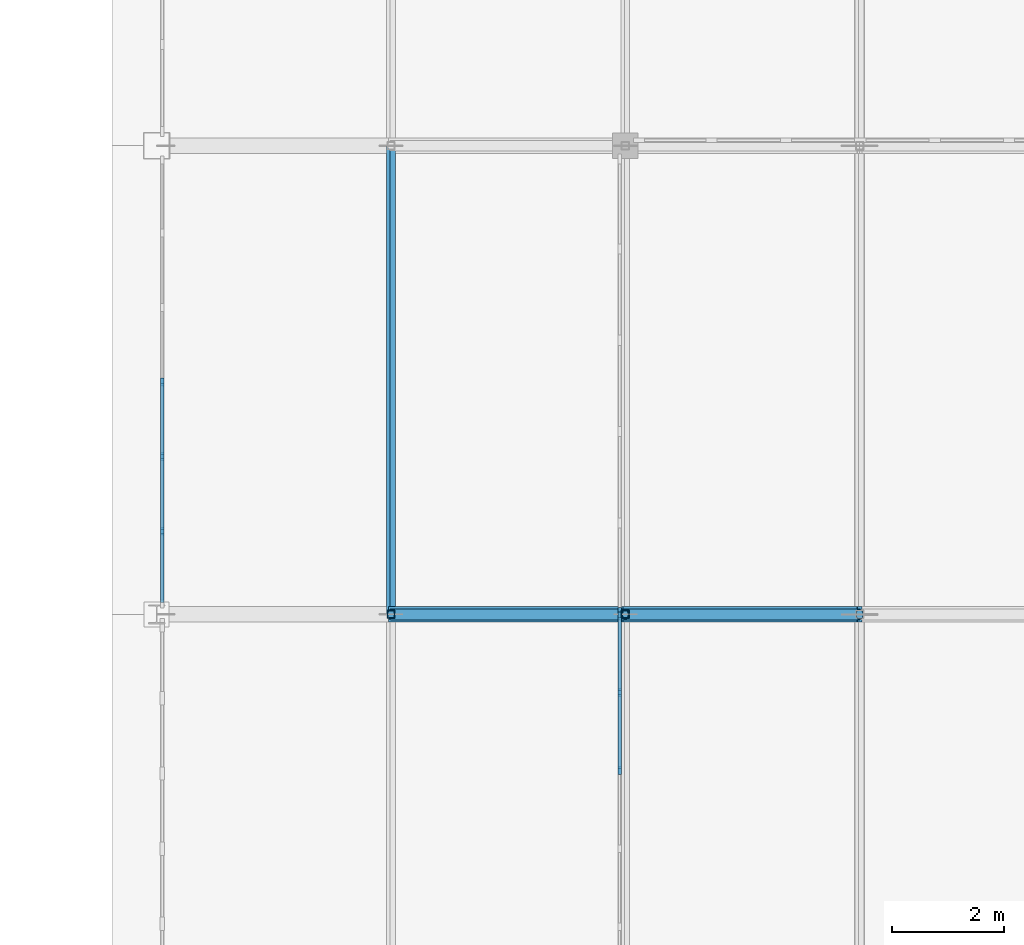
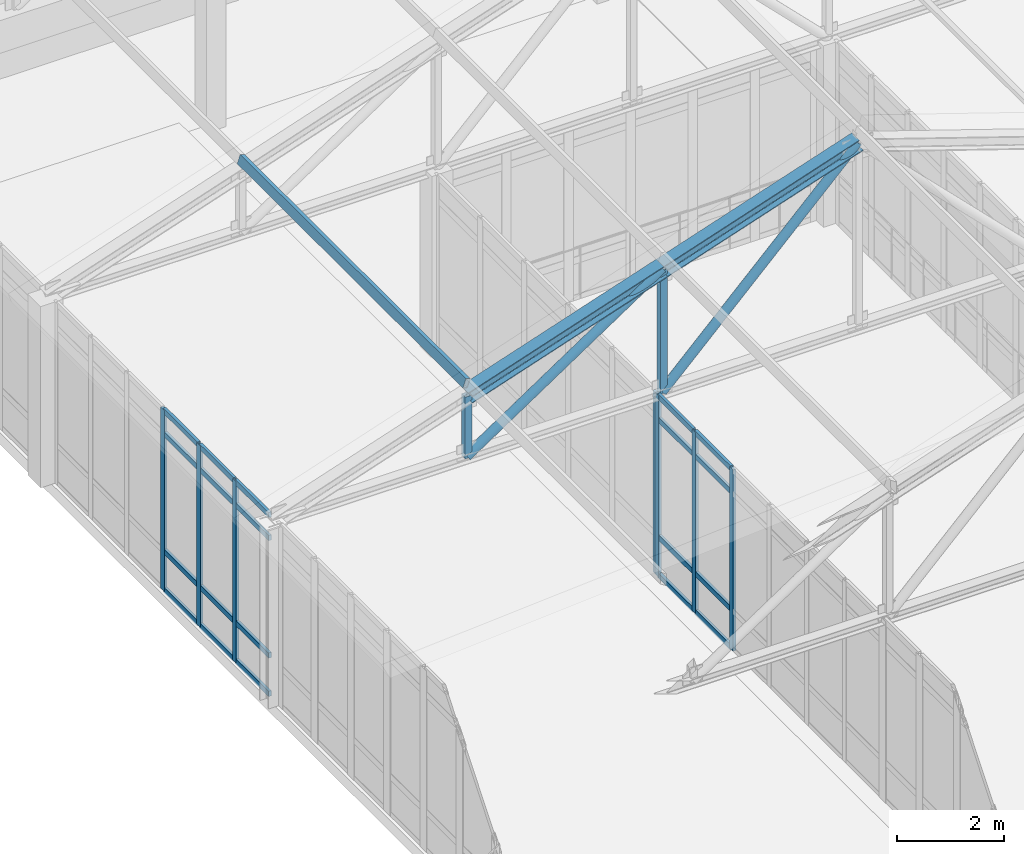
# One storey, part 75 of 192: 34 members, 3 elements without a shape of their own.
"""IFC4 building model written with IfcOpenShell, lengths in metres."""

from ifc_helpers import new_model, si_unit, direction, frame, origin, origin_2d, place, context, subcontext, project, spatial, rectangle, hollow_rectangle, hollow_circle, i_section, extrude, material, layer, layer_set, material_profile, profile_set, type_object, element, aggregate, save


model = new_model("IFC4")

# Units and contexts
model_context = context("Model", 3, precision=1e-05, world=origin(), true_north=direction((0.0, 1.0)))
body_context = subcontext(model_context, "Body", "Model", "MODEL_VIEW")
ifc_project = project(units=[si_unit("LENGTHUNIT", "METRE"), si_unit("AREAUNIT", "SQUARE_METRE"), si_unit("VOLUMEUNIT", "CUBIC_METRE"), si_unit("PLANEANGLEUNIT", "RADIAN"), si_unit("MASSUNIT", "GRAM", prefix="KILO")], contexts=[model_context])

# Site, building, storey
site_placement = place(None, origin())
site = spatial("IfcSite", under=ifc_project, at=site_placement, CompositionType="ELEMENT")
building_placement = place(site_placement, origin())
building = spatial("IfcBuilding", under=site, at=building_placement, Name="Kveldsbrygga Polytechnic", CompositionType="ELEMENT")
storey_placement = place(building_placement, frame((0.0, 0.0, 5.43994140625)))
storey = spatial("IfcBuildingStorey", under=building, at=storey_placement, Name="L01", CompositionType="ELEMENT", Elevation=5.43994140625)

# Curtain wall, members
ifc_material_1 = material(Name="Anodised aluminium AW-6060", Category="aluminium")
ifc_layer_1 = layer(ifc_material_1, 0.179931640625)
ifc_layer_set_1 = layer_set([ifc_layer_1], Name="Anodised aluminium AW-6060")
curtain_wall_type_1 = type_object("IfcCurtainWallType", Name="CW-CONC-A", PredefinedType="USERDEFINED", material=ifc_layer_set_1)
curtain_wall_1_placement = place(storey_placement, origin())
curtain_wall_1 = element("IfcCurtainWall", 1, at=curtain_wall_1_placement, inside=storey, type_object=curtain_wall_type_1, Name="Curtain Wall CW-L01-Y-07-07", ObjectType="UNITISED CURTAIN WALL", PredefinedType="USERDEFINED")
ifc_material_profile_1 = material_profile(ifc_material_1, rectangle(XDim=0.06005859375, YDim=0.139892578125, at=origin_2d()), Name="ALU 60x140")
ifc_profile_set_1 = profile_set([ifc_material_profile_1], Name="Anodised aluminium AW-6060")
member_type_1 = type_object("IfcMemberType", Name="CW-MUL-140", PredefinedType="MULLION", material=ifc_profile_set_1)
member_1_placement = place(storey_placement, frame((58.699951171875, 64.39990234375, 0.0), z_axis=(0.0, 0.0, 1.0), x_axis=(-1.0, 0.0, 0.0)))
member_1 = element("IfcMember", 2, at=member_1_placement, type_object=member_type_1, Name="CW-01 mullion 5", PredefinedType="MULLION", context=body_context, shape_type="SweptSolid", body=[
    extrude(rectangle(XDim=0.06005859375, YDim=0.139892578125, at=origin_2d()), origin(), (0.0, 0.0, 1.0), 4.1201171875),
])
member_2_placement = place(storey_placement, frame((58.699951171875, 65.800048828125, 0.0), z_axis=(0.0, 0.0, 1.0), x_axis=(-1.0, 0.0, 0.0)))
member_2 = element("IfcMember", 3, at=member_2_placement, type_object=member_type_1, Name="CW-01 mullion 6", PredefinedType="MULLION", context=body_context, shape_type="SweptSolid", body=[
    extrude(rectangle(XDim=0.06005859375, YDim=0.139892578125, at=origin_2d()), origin(), (0.0, 0.0, 1.0), 4.1201171875),
])
member_3_placement = place(storey_placement, frame((58.699951171875, 67.169921875, 0.0), z_axis=(0.0, 0.0, 1.0), x_axis=(-1.0, 0.0, 0.0)))
member_3 = element("IfcMember", 4, at=member_3_placement, type_object=member_type_1, Name="CW-01 mullion 7", PredefinedType="MULLION", context=body_context, shape_type="SweptSolid", body=[
    extrude(rectangle(XDim=0.06005859375, YDim=0.139892578125, at=origin_2d()), origin(), (0.0, 0.0, 1.0), 4.1201171875),
])

curtain_wall_2_placement = place(storey_placement, origin())
curtain_wall_2 = element("IfcCurtainWall", 5, at=curtain_wall_2_placement, inside=storey, type_object=curtain_wall_type_1, Name="Curtain Wall CW-L01-Y-06-08", ObjectType="UNITISED CURTAIN WALL", PredefinedType="USERDEFINED")
member_4_placement = place(storey_placement, frame((50.5, 68.691650390625, 0.0), z_axis=(0.0, 0.0, 1.0), x_axis=(-1.0, 0.0, 0.0)))
member_4 = element("IfcMember", 6, at=member_4_placement, type_object=member_type_1, Name="CW-01 mullion 2", PredefinedType="MULLION", context=body_context, shape_type="SweptSolid", body=[
    extrude(rectangle(XDim=0.06005859375, YDim=0.139892578125, at=origin_2d()), origin(), (0.0, 0.0, 1.0), 4.1201171875),
])
member_5_placement = place(storey_placement, frame((50.5, 70.0283203125, 0.0), z_axis=(0.0, 0.0, 1.0), x_axis=(-1.0, 0.0, 0.0)))
member_5 = element("IfcMember", 7, at=member_5_placement, type_object=member_type_1, Name="CW-01 mullion 3", PredefinedType="MULLION", context=body_context, shape_type="SweptSolid", body=[
    extrude(rectangle(XDim=0.06005859375, YDim=0.139892578125, at=origin_2d()), origin(), (0.0, 0.0, 1.0), 4.1201171875),
])
member_6_placement = place(storey_placement, frame((50.5, 71.364990234375, 0.0), z_axis=(0.0, 0.0, 1.0), x_axis=(-1.0, 0.0, 0.0)))
member_6 = element("IfcMember", 8, at=member_6_placement, type_object=member_type_1, Name="CW-01 mullion 4", PredefinedType="MULLION", context=body_context, shape_type="SweptSolid", body=[
    extrude(rectangle(XDim=0.06005859375, YDim=0.139892578125, at=origin_2d()), origin(), (0.0, 0.0, 1.0), 4.1201171875),
])

# Curtain wall, member
ifc_layer_2 = layer(ifc_material_1, 0.199951171875)
ifc_layer_set_2 = layer_set([ifc_layer_2], Name="Anodised aluminium AW-6060")
curtain_wall_type_2 = type_object("IfcCurtainWallType", Name="CW-CONC-B", PredefinedType="USERDEFINED", material=ifc_layer_set_2)
curtain_wall_3_placement = place(storey_placement, origin())
curtain_wall_3 = element("IfcCurtainWall", 9, at=curtain_wall_3_placement, inside=storey, type_object=curtain_wall_type_2, Name="Curtain Wall CW-L01-Y-07-08", ObjectType="UNITISED CURTAIN WALL", PredefinedType="USERDEFINED")
ifc_material_profile_2 = material_profile(ifc_material_1, rectangle(XDim=0.06005859375, YDim=0.179931640625, at=origin_2d()), Name="ALU 60x180")
ifc_profile_set_2 = profile_set([ifc_material_profile_2], Name="Anodised aluminium AW-6060")
member_type_2 = type_object("IfcMemberType", Name="CW-MUL-180", PredefinedType="MULLION", material=ifc_profile_set_2)
member_7_placement = place(storey_placement, frame((58.699951171875, 67.22998046875, 0.0), z_axis=(0.0, 0.0, 1.0), x_axis=(-1.0, 0.0, 0.0)))
member_7 = element("IfcMember", 10, at=member_7_placement, type_object=member_type_2, Name="CW-02 mullion 1", PredefinedType="MULLION", context=body_context, shape_type="SweptSolid", body=[
    extrude(rectangle(XDim=0.06005859375, YDim=0.179931640625, at=origin_2d()), origin(), (0.0, 0.0, 1.0), 4.1201171875),
])
aggregate(curtain_wall_3, [member_7])

# Member
ifc_material_profile_3 = material_profile(ifc_material_1, rectangle(XDim=0.06005859375, YDim=0.1201171875, at=origin_2d()), Name="ALU 60x120")
ifc_profile_set_3 = profile_set([ifc_material_profile_3], Name="Anodised aluminium AW-6060")
member_type_3 = type_object("IfcMemberType", Name="CW-TRN-120", PredefinedType="USERDEFINED", material=ifc_profile_set_3)
member_8_placement = place(storey_placement, frame((58.699951171875, 64.429931640625, 0.030029296875), z_axis=(0.0, 1.0, 0.0), x_axis=(-1.0, 0.0, 0.0)))
member_8 = element("IfcMember", 11, at=member_8_placement, type_object=member_type_3, Name="CW-01 transom 5.1", ObjectType="TRANSOM", PredefinedType="USERDEFINED", context=body_context, shape_type="SweptSolid", body=[
    extrude(rectangle(XDim=0.06005859375, YDim=0.1201171875, at=origin_2d()), origin(), (0.0, 0.0, 1.0), 1.340087890625),
])

member_9_placement = place(storey_placement, frame((58.699951171875, 64.429931640625, 0.900146484375), z_axis=(0.0, 1.0, 0.0), x_axis=(-1.0, 0.0, 0.0)))
member_9 = element("IfcMember", 12, at=member_9_placement, type_object=member_type_3, Name="CW-01 transom 5.2", ObjectType="TRANSOM", PredefinedType="USERDEFINED", context=body_context, shape_type="SweptSolid", body=[
    extrude(rectangle(XDim=0.06005859375, YDim=0.1201171875, at=origin_2d()), origin(), (0.0, 0.0, 1.0), 1.340087890625),
])

member_10_placement = place(storey_placement, frame((58.699951171875, 64.429931640625, 3.570068359375), z_axis=(0.0, 1.0, 0.0), x_axis=(-1.0, 0.0, 0.0)))
member_10 = element("IfcMember", 13, at=member_10_placement, type_object=member_type_3, Name="CW-01 transom 5.3", ObjectType="TRANSOM", PredefinedType="USERDEFINED", context=body_context, shape_type="SweptSolid", body=[
    extrude(rectangle(XDim=0.06005859375, YDim=0.1201171875, at=origin_2d()), origin(), (0.0, 0.0, 1.0), 1.340087890625),
])

member_11_placement = place(storey_placement, frame((58.699951171875, 64.429931640625, 4.090087890625), z_axis=(0.0, 1.0, 0.0), x_axis=(-1.0, 0.0, 0.0)))
member_11 = element("IfcMember", 14, at=member_11_placement, type_object=member_type_3, Name="CW-01 transom 5.4", ObjectType="TRANSOM", PredefinedType="USERDEFINED", context=body_context, shape_type="SweptSolid", body=[
    extrude(rectangle(XDim=0.06005859375, YDim=0.1201171875, at=origin_2d()), origin(), (0.0, 0.0, 1.0), 1.340087890625),
])

member_12_placement = place(storey_placement, frame((58.699951171875, 65.830078125, 0.030029296875), z_axis=(0.0, 1.0, 0.0), x_axis=(-1.0, 0.0, 0.0)))
member_12 = element("IfcMember", 15, at=member_12_placement, type_object=member_type_3, Name="CW-01 transom 6.1", ObjectType="TRANSOM", PredefinedType="USERDEFINED", context=body_context, shape_type="SweptSolid", body=[
    extrude(rectangle(XDim=0.06005859375, YDim=0.1201171875, at=origin_2d()), origin(), (0.0, 0.0, 1.0), 1.309814453125),
])

member_13_placement = place(storey_placement, frame((58.699951171875, 65.830078125, 0.900146484375), z_axis=(0.0, 1.0, 0.0), x_axis=(-1.0, 0.0, 0.0)))
member_13 = element("IfcMember", 16, at=member_13_placement, type_object=member_type_3, Name="CW-01 transom 6.2", ObjectType="TRANSOM", PredefinedType="USERDEFINED", context=body_context, shape_type="SweptSolid", body=[
    extrude(rectangle(XDim=0.06005859375, YDim=0.1201171875, at=origin_2d()), origin(), (0.0, 0.0, 1.0), 1.309814453125),
])

member_14_placement = place(storey_placement, frame((58.699951171875, 65.830078125, 3.570068359375), z_axis=(0.0, 1.0, 0.0), x_axis=(-1.0, 0.0, 0.0)))
member_14 = element("IfcMember", 17, at=member_14_placement, type_object=member_type_3, Name="CW-01 transom 6.3", ObjectType="TRANSOM", PredefinedType="USERDEFINED", context=body_context, shape_type="SweptSolid", body=[
    extrude(rectangle(XDim=0.06005859375, YDim=0.1201171875, at=origin_2d()), origin(), (0.0, 0.0, 1.0), 1.309814453125),
])

member_15_placement = place(storey_placement, frame((58.699951171875, 65.830078125, 4.090087890625), z_axis=(0.0, 1.0, 0.0), x_axis=(-1.0, 0.0, 0.0)))
member_15 = element("IfcMember", 18, at=member_15_placement, type_object=member_type_3, Name="CW-01 transom 6.4", ObjectType="TRANSOM", PredefinedType="USERDEFINED", context=body_context, shape_type="SweptSolid", body=[
    extrude(rectangle(XDim=0.06005859375, YDim=0.1201171875, at=origin_2d()), origin(), (0.0, 0.0, 1.0), 1.309814453125),
])

aggregate(curtain_wall_1, [member_1, member_2, member_3, member_8, member_9, member_10, member_11, member_12, member_13, member_14, member_15])

member_16_placement = place(storey_placement, frame((50.5, 67.4150390625, 0.030029296875), z_axis=(0.0, 1.0, 0.0), x_axis=(-1.0, 0.0, 0.0)))
member_16 = element("IfcMember", 19, at=member_16_placement, type_object=member_type_3, Name="CW-01 transom 1.1", ObjectType="TRANSOM", PredefinedType="USERDEFINED", context=body_context, shape_type="SweptSolid", body=[
    extrude(rectangle(XDim=0.06005859375, YDim=0.1201171875, at=origin_2d()), origin(), (0.0, 0.0, 1.0), 1.24658203125),
])

member_17_placement = place(storey_placement, frame((50.5, 67.4150390625, 0.900146484375), z_axis=(0.0, 1.0, 0.0), x_axis=(-1.0, 0.0, 0.0)))
member_17 = element("IfcMember", 20, at=member_17_placement, type_object=member_type_3, Name="CW-01 transom 1.2", ObjectType="TRANSOM", PredefinedType="USERDEFINED", context=body_context, shape_type="SweptSolid", body=[
    extrude(rectangle(XDim=0.06005859375, YDim=0.1201171875, at=origin_2d()), origin(), (0.0, 0.0, 1.0), 1.24658203125),
])

member_18_placement = place(storey_placement, frame((50.5, 67.4150390625, 3.570068359375), z_axis=(0.0, 1.0, 0.0), x_axis=(-1.0, 0.0, 0.0)))
member_18 = element("IfcMember", 21, at=member_18_placement, type_object=member_type_3, Name="CW-01 transom 1.3", ObjectType="TRANSOM", PredefinedType="USERDEFINED", context=body_context, shape_type="SweptSolid", body=[
    extrude(rectangle(XDim=0.06005859375, YDim=0.1201171875, at=origin_2d()), origin(), (0.0, 0.0, 1.0), 1.24658203125),
])

member_19_placement = place(storey_placement, frame((50.5, 67.4150390625, 4.090087890625), z_axis=(0.0, 1.0, 0.0), x_axis=(-1.0, 0.0, 0.0)))
member_19 = element("IfcMember", 22, at=member_19_placement, type_object=member_type_3, Name="CW-01 transom 1.4", ObjectType="TRANSOM", PredefinedType="USERDEFINED", context=body_context, shape_type="SweptSolid", body=[
    extrude(rectangle(XDim=0.06005859375, YDim=0.1201171875, at=origin_2d()), origin(), (0.0, 0.0, 1.0), 1.24658203125),
])

member_20_placement = place(storey_placement, frame((50.5, 68.7216796875, 0.030029296875), z_axis=(0.0, 1.0, 0.0), x_axis=(-1.0, 0.0, 0.0)))
member_20 = element("IfcMember", 23, at=member_20_placement, type_object=member_type_3, Name="CW-01 transom 2.1", ObjectType="TRANSOM", PredefinedType="USERDEFINED", context=body_context, shape_type="SweptSolid", body=[
    extrude(rectangle(XDim=0.06005859375, YDim=0.1201171875, at=origin_2d()), origin(), (0.0, 0.0, 1.0), 1.276611328125),
])

member_21_placement = place(storey_placement, frame((50.5, 68.7216796875, 0.900146484375), z_axis=(0.0, 1.0, 0.0), x_axis=(-1.0, 0.0, 0.0)))
member_21 = element("IfcMember", 24, at=member_21_placement, type_object=member_type_3, Name="CW-01 transom 2.2", ObjectType="TRANSOM", PredefinedType="USERDEFINED", context=body_context, shape_type="SweptSolid", body=[
    extrude(rectangle(XDim=0.06005859375, YDim=0.1201171875, at=origin_2d()), origin(), (0.0, 0.0, 1.0), 1.276611328125),
])

member_22_placement = place(storey_placement, frame((50.5, 68.7216796875, 3.570068359375), z_axis=(0.0, 1.0, 0.0), x_axis=(-1.0, 0.0, 0.0)))
member_22 = element("IfcMember", 25, at=member_22_placement, type_object=member_type_3, Name="CW-01 transom 2.3", ObjectType="TRANSOM", PredefinedType="USERDEFINED", context=body_context, shape_type="SweptSolid", body=[
    extrude(rectangle(XDim=0.06005859375, YDim=0.1201171875, at=origin_2d()), origin(), (0.0, 0.0, 1.0), 1.276611328125),
])

member_23_placement = place(storey_placement, frame((50.5, 68.7216796875, 4.090087890625), z_axis=(0.0, 1.0, 0.0), x_axis=(-1.0, 0.0, 0.0)))
member_23 = element("IfcMember", 26, at=member_23_placement, type_object=member_type_3, Name="CW-01 transom 2.4", ObjectType="TRANSOM", PredefinedType="USERDEFINED", context=body_context, shape_type="SweptSolid", body=[
    extrude(rectangle(XDim=0.06005859375, YDim=0.1201171875, at=origin_2d()), origin(), (0.0, 0.0, 1.0), 1.276611328125),
])

member_24_placement = place(storey_placement, frame((50.5, 70.058349609375, 0.030029296875), z_axis=(0.0, 1.0, 0.0), x_axis=(-1.0, 0.0, 0.0)))
member_24 = element("IfcMember", 27, at=member_24_placement, type_object=member_type_3, Name="CW-01 transom 3.1", ObjectType="TRANSOM", PredefinedType="USERDEFINED", context=body_context, shape_type="SweptSolid", body=[
    extrude(rectangle(XDim=0.06005859375, YDim=0.1201171875, at=origin_2d()), origin(), (0.0, 0.0, 1.0), 1.276611328125),
])

member_25_placement = place(storey_placement, frame((50.5, 70.058349609375, 0.900146484375), z_axis=(0.0, 1.0, 0.0), x_axis=(-1.0, 0.0, 0.0)))
member_25 = element("IfcMember", 28, at=member_25_placement, type_object=member_type_3, Name="CW-01 transom 3.2", ObjectType="TRANSOM", PredefinedType="USERDEFINED", context=body_context, shape_type="SweptSolid", body=[
    extrude(rectangle(XDim=0.06005859375, YDim=0.1201171875, at=origin_2d()), origin(), (0.0, 0.0, 1.0), 1.276611328125),
])

member_26_placement = place(storey_placement, frame((50.5, 70.058349609375, 3.570068359375), z_axis=(0.0, 1.0, 0.0), x_axis=(-1.0, 0.0, 0.0)))
member_26 = element("IfcMember", 29, at=member_26_placement, type_object=member_type_3, Name="CW-01 transom 3.3", ObjectType="TRANSOM", PredefinedType="USERDEFINED", context=body_context, shape_type="SweptSolid", body=[
    extrude(rectangle(XDim=0.06005859375, YDim=0.1201171875, at=origin_2d()), origin(), (0.0, 0.0, 1.0), 1.276611328125),
])

member_27_placement = place(storey_placement, frame((50.5, 70.058349609375, 4.090087890625), z_axis=(0.0, 1.0, 0.0), x_axis=(-1.0, 0.0, 0.0)))
member_27 = element("IfcMember", 30, at=member_27_placement, type_object=member_type_3, Name="CW-01 transom 3.4", ObjectType="TRANSOM", PredefinedType="USERDEFINED", context=body_context, shape_type="SweptSolid", body=[
    extrude(rectangle(XDim=0.06005859375, YDim=0.1201171875, at=origin_2d()), origin(), (0.0, 0.0, 1.0), 1.276611328125),
])

aggregate(curtain_wall_2, [member_4, member_5, member_6, member_16, member_17, member_18, member_19, member_20, member_21, member_22, member_23, member_24, member_25, member_26, member_27])

# Members
ifc_material_2 = material(Name="Steel S355", Category="steel")
ifc_material_profile_4 = material_profile(ifc_material_2, hollow_rectangle(XDim=0.10009765625, YDim=0.199951171875, WallThickness=0.010009765625, at=origin_2d()), Name="RHS 200x100x10.0")
ifc_profile_set_4 = profile_set([ifc_material_profile_4], Name="Steel S355")
member_type_4 = type_object("IfcMemberType", Name="PRL-RHS200", PredefinedType="PURLIN", material=ifc_profile_set_4)
member_28_placement = place(storey_placement, frame((54.60009765625, 67.199951171875, 5.77294921875), z_axis=(0.0, 1.0, 0.0), x_axis=(-0.948683567514, 0.0, 0.316226957624)))
element("IfcMember", 31, at=member_28_placement, inside=storey, type_object=member_type_4, Name="Roof Purlin V5C-PRL-8-1", PredefinedType="PURLIN", context=body_context, shape_type="SweptSolid", body=[
    extrude(hollow_rectangle(XDim=0.10009765625, YDim=0.199951171875, WallThickness=0.010009765625, at=origin_2d()), origin(), (0.0, 0.0, 1.0), 8.400146484375),
])
ifc_material_profile_5 = material_profile(ifc_material_2, hollow_circle(Radius=0.096923828125, WallThickness=0.010009765625, at=origin_2d()), Name="CHS 193.7x10.0")
ifc_profile_set_5 = profile_set([ifc_material_profile_5], Name="Steel S355")
member_type_5 = type_object("IfcMemberType", Name="TR-DIAG-CHS194", PredefinedType="BRACE", material=ifc_profile_set_5)
member_29_placement = place(storey_placement, frame((54.60009765625, 67.199951171875, 4.1201171875), z_axis=(0.832042853317, 0.0, 0.554711357594), x_axis=(0.0, 1.0, 0.0)))
element("IfcMember", 32, at=member_29_placement, inside=storey, type_object=member_type_5, Name="Truss Diagonal V5C-T08-DG-2", PredefinedType="BRACE", context=body_context, shape_type="SweptSolid", body=[
    extrude(hollow_circle(Radius=0.096923828125, WallThickness=0.010009765625, at=origin_2d()), origin(), (0.0, 0.0, 1.0), 5.0478515625),
])
member_30_placement = place(storey_placement, frame((58.800048828125, 67.199951171875, 4.1201171875), z_axis=(0.707106781187, 0.0, 0.707106781187), x_axis=(0.0, 1.0, 0.0)))
element("IfcMember", 33, at=member_30_placement, inside=storey, type_object=member_type_5, Name="Truss Diagonal V5C-T08-DG-3", PredefinedType="BRACE", context=body_context, shape_type="SweptSolid", body=[
    extrude(hollow_circle(Radius=0.096923828125, WallThickness=0.010009765625, at=origin_2d()), origin(), (0.0, 0.0, 1.0), 5.939697265625),
])
ifc_material_profile_6 = material_profile(ifc_material_2, hollow_rectangle(XDim=0.139892578125, YDim=0.139892578125, WallThickness=0.008056640625, at=origin_2d()), Name="SHS 140x140x8.0")
ifc_profile_set_6 = profile_set([ifc_material_profile_6], Name="Steel S355")
member_type_6 = type_object("IfcMemberType", Name="TR-POST-SHS140", PredefinedType="STRUT", material=ifc_profile_set_6)
member_31_placement = place(storey_placement, frame((54.60009765625, 67.199951171875, 4.1201171875), z_axis=(0.0, 0.0, 1.0), x_axis=(1.0, 0.0, 0.0)))
element("IfcMember", 34, at=member_31_placement, inside=storey, type_object=member_type_6, Name="Truss Vertical V5C-T08-VT-1", PredefinedType="STRUT", context=body_context, shape_type="SweptSolid", body=[
    extrude(hollow_rectangle(XDim=0.139892578125, YDim=0.139892578125, WallThickness=0.008056640625, at=origin_2d()), origin(), (0.0, 0.0, 1.0), 1.39990234375),
])
member_32_placement = place(storey_placement, frame((58.800048828125, 67.199951171875, 4.1201171875), z_axis=(0.0, 0.0, 1.0), x_axis=(1.0, 0.0, 0.0)))
element("IfcMember", 35, at=member_32_placement, inside=storey, type_object=member_type_6, Name="Truss Vertical V5C-T08-VT-2", PredefinedType="STRUT", context=body_context, shape_type="SweptSolid", body=[
    extrude(hollow_rectangle(XDim=0.139892578125, YDim=0.139892578125, WallThickness=0.008056640625, at=origin_2d()), origin(), (0.0, 0.0, 1.0), 2.800048828125),
])
ifc_material_profile_7 = material_profile(ifc_material_2, i_section(OverallWidth=0.280029296875, OverallDepth=0.280029296875, WebThickness=0.010498046875, FlangeThickness=0.01806640625, FilletRadius=0.02392578125, at=origin_2d()), Name="HEB 280")
ifc_profile_set_7 = profile_set([ifc_material_profile_7], Name="Steel S355")
member_type_7 = type_object("IfcMemberType", Name="TR-TOP-HEB280", PredefinedType="CHORD", material=ifc_profile_set_7)
member_33_placement = place(storey_placement, frame((54.60009765625, 67.199951171875, 5.52001953125), z_axis=(0.948672268324, 0.0, 0.316260853272), x_axis=(0.0, 1.0, 0.0)))
element("IfcMember", 36, at=member_33_placement, inside=storey, type_object=member_type_7, Name="Truss Top Chord V5C-T08-TC-2", PredefinedType="CHORD", context=body_context, shape_type="SweptSolid", body=[
    extrude(i_section(OverallWidth=0.280029296875, OverallDepth=0.280029296875, WebThickness=0.010498046875, FlangeThickness=0.01806640625, FilletRadius=0.02392578125, at=origin_2d()), origin(), (0.0, 0.0, 1.0), 4.42724609375),
])
member_34_placement = place(storey_placement, frame((58.800048828125, 67.199951171875, 6.920166015625), z_axis=(0.948688812577, 0.0, 0.316211221956), x_axis=(0.0, 1.0, 0.0)))
element("IfcMember", 37, at=member_34_placement, inside=storey, type_object=member_type_7, Name="Truss Top Chord V5C-T08-TC-3", PredefinedType="CHORD", context=body_context, shape_type="SweptSolid", body=[
    extrude(i_section(OverallWidth=0.280029296875, OverallDepth=0.280029296875, WebThickness=0.010498046875, FlangeThickness=0.01806640625, FilletRadius=0.02392578125, at=origin_2d()), origin(), (0.0, 0.0, 1.0), 4.427001953125),
])

save(model, "model.ifc")
